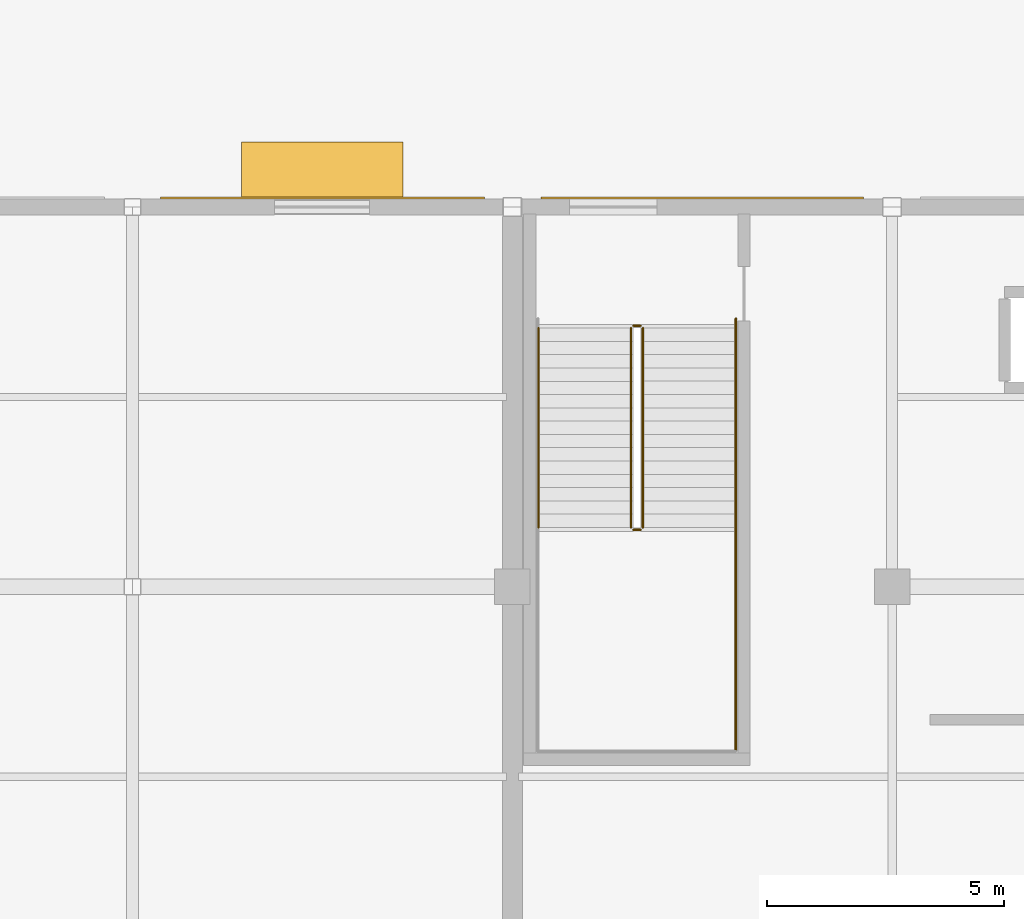
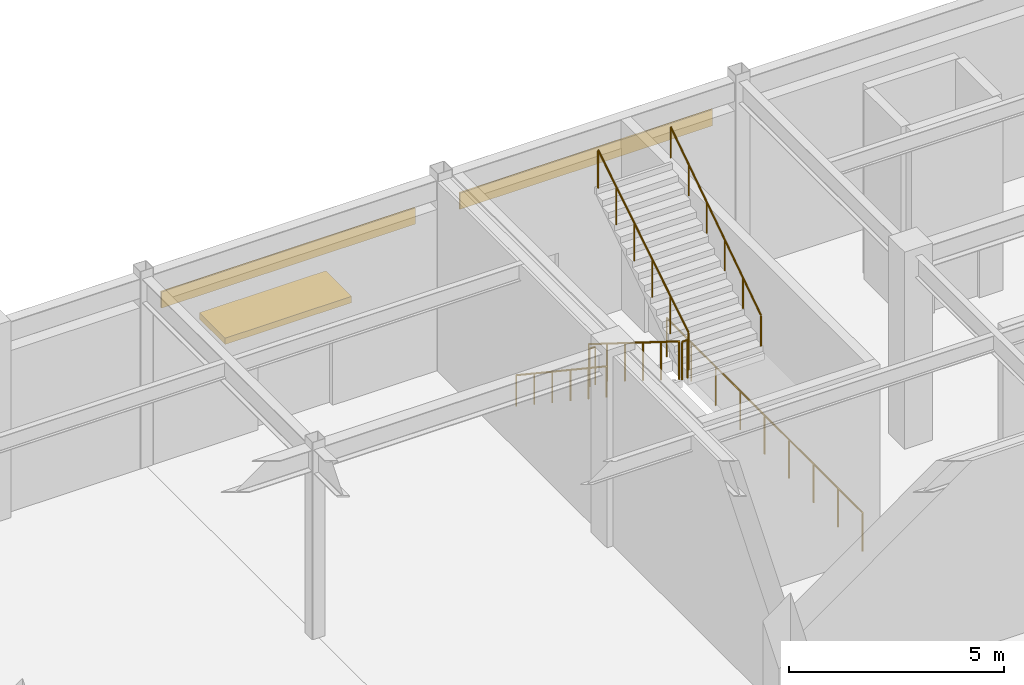
# One storey, part 123 of 128: 7 railings, 2 coverings, 1 shading device.
"""IFC4 building model written with IfcOpenShell, lengths in metres."""

from ifc_helpers import new_model, si_unit, direction, frame, origin, origin_2d, place, context, subcontext, project, spatial, rectangle, circle, extrude, material, layer, layer_set, type_object, element, save


model = new_model("IFC4")

# Units and contexts
model_context = context("Model", 3, precision=1e-05, world=origin(), true_north=direction((0.0, 1.0)))
body_context = subcontext(model_context, "Body", "Model", "MODEL_VIEW")
ifc_project = project(units=[si_unit("LENGTHUNIT", "METRE"), si_unit("AREAUNIT", "SQUARE_METRE"), si_unit("VOLUMEUNIT", "CUBIC_METRE"), si_unit("PLANEANGLEUNIT", "RADIAN"), si_unit("MASSUNIT", "GRAM", prefix="KILO")], contexts=[model_context])

# Site, building, storey
site_placement = place(None, origin())
site = spatial("IfcSite", under=ifc_project, at=site_placement, CompositionType="ELEMENT")
building_placement = place(site_placement, origin())
building = spatial("IfcBuilding", under=site, at=building_placement, Name="Solmirada Galleria", CompositionType="ELEMENT")
storey_placement = place(building_placement, origin())
storey = spatial("IfcBuildingStorey", under=building, at=storey_placement, Name="L00", CompositionType="ELEMENT", Elevation=0.0)

# Coverings
ifc_material_1 = material(Name="Limestone cladding panels", Category="masonry")
ifc_layer = layer(ifc_material_1, 0.044921875)
ifc_layer_set = layer_set([ifc_layer], Name="Limestone cladding panels")
covering_type = type_object("IfcCoveringType", Name="COV-CLAD-LIME", PredefinedType="CLADDING", material=ifc_layer_set)
covering_1_placement = place(storey_placement, frame((124.0, 120.1923828125, 4.090087890625), z_axis=(0.0, 0.0, 1.0), x_axis=(1.0, 0.0, 0.0)))
element("IfcCovering", 1, at=covering_1_placement, inside=storey, type_object=covering_type, Name="Postmodern facade cladding L00-017", PredefinedType="CLADDING", context=body_context, shape_type="SweptSolid", body=[
    extrude(rectangle(XDim=6.819091796875, YDim=0.044921875, at=origin_2d()), origin(), (0.0, 0.0, 1.0), 0.4599609375),
])
covering_2_placement = place(storey_placement, frame((132.0, 120.1923828125, 4.090087890625), z_axis=(0.0, 0.0, 1.0), x_axis=(1.0, 0.0, 0.0)))
element("IfcCovering", 2, at=covering_2_placement, inside=storey, type_object=covering_type, Name="Postmodern facade cladding L00-018", PredefinedType="CLADDING", context=body_context, shape_type="SweptSolid", body=[
    extrude(rectangle(XDim=6.7939453125, YDim=0.044921875, at=origin_2d()), origin(), (0.0, 0.0, 1.0), 0.4599609375),
])

# Railings
ifc_material_2 = material(Name="Painted steel tubular railing", Category="steel")
railing_type_1 = type_object("IfcRailingType", Name="RAIL-STAIR-GUARD", PredefinedType="GUARDRAIL", material=ifc_material_2)
railing_1_placement = place(storey_placement, frame((130.5, 117.449951171875, 0.175048828125)))
element("IfcRailing", 3, at=railing_1_placement, inside=storey, type_object=railing_type_1, Name="L00 ST3 stair guard 1", PredefinedType="GUARDRAIL", context=body_context, shape_type="SweptSolid", body=[
    extrude(circle(Radius=0.02392578125, at=origin_2d()), frame((0.0, 0.0, 1.076171875), z_axis=(0.0, -0.847995534698, 0.530003370869), x_axis=(1.0, 0.0, 0.0)), (0.0, 0.0, 1.0), 4.952880859375),
    extrude(circle(Radius=0.02099609375, at=origin_2d()), origin(), (0.0, 0.0, 1.0), 1.048095703125),
    extrude(circle(Radius=0.02099609375, at=origin_2d()), frame((0.0, -0.840087890625, 0.52490234375)), (0.0, 0.0, 1.0), 1.048095703125),
    extrude(circle(Radius=0.02099609375, at=origin_2d()), frame((0.0, -1.679931640625, 1.050048828125)), (0.0, 0.0, 1.0), 1.048095703125),
    extrude(circle(Radius=0.02099609375, at=origin_2d()), frame((0.0, -2.52001953125, 1.574951171875)), (0.0, 0.0, 1.0), 1.048095703125),
    extrude(circle(Radius=0.02099609375, at=origin_2d()), frame((0.0, -3.35986328125, 2.10009765625)), (0.0, 0.0, 1.0), 1.048095703125),
    extrude(circle(Radius=0.02099609375, at=origin_2d()), frame((0.0, -4.199951171875, 2.625)), (0.0, 0.0, 1.0), 1.048095703125),
])
railing_2_placement = place(storey_placement, frame((130.550048828125, 113.199951171875, 2.800048828125)))
element("IfcRailing", 4, at=railing_2_placement, inside=storey, type_object=railing_type_1, Name="L00 ST3 stair guard 2", PredefinedType="GUARDRAIL", context=body_context, shape_type="SweptSolid", body=[
    extrude(circle(Radius=0.02392578125, at=origin_2d()), frame((0.0, 0.0, 1.076171875), z_axis=(1.0, 0.0, 0.0), x_axis=(0.0, 1.0, 0.0)), (0.0, 0.0, 1.0), 0.14990234375),
    extrude(circle(Radius=0.02099609375, at=origin_2d()), origin(), (0.0, 0.0, 1.0), 1.048095703125),
    extrude(circle(Radius=0.02099609375, at=origin_2d()), frame((0.14990234375, 0.0, 0.0)), (0.0, 0.0, 1.0), 1.048095703125),
])
railing_3_placement = place(storey_placement, frame((130.75, 113.25, 2.97509765625)))
element("IfcRailing", 5, at=railing_3_placement, inside=storey, type_object=railing_type_1, Name="L00 ST3 stair guard 3", PredefinedType="GUARDRAIL", context=body_context, shape_type="SweptSolid", body=[
    extrude(circle(Radius=0.02392578125, at=origin_2d()), frame((0.0, 0.0, 1.076171875), z_axis=(0.0, 0.847995534698, 0.530003370869), x_axis=(-1.0, 0.0, 0.0)), (0.0, 0.0, 1.0), 4.952880859375),
    extrude(circle(Radius=0.02099609375, at=origin_2d()), origin(), (0.0, 0.0, 1.0), 1.048095703125),
    extrude(circle(Radius=0.02099609375, at=origin_2d()), frame((0.0, 0.840087890625, 0.52490234375)), (0.0, 0.0, 1.0), 1.048095703125),
    extrude(circle(Radius=0.02099609375, at=origin_2d()), frame((0.0, 1.679931640625, 1.050048828125)), (0.0, 0.0, 1.0), 1.048095703125),
    extrude(circle(Radius=0.02099609375, at=origin_2d()), frame((0.0, 2.52001953125, 1.574951171875)), (0.0, 0.0, 1.0), 1.048095703125),
    extrude(circle(Radius=0.02099609375, at=origin_2d()), frame((0.0, 3.35986328125, 2.10009765625)), (0.0, 0.0, 1.0), 1.048095703125),
    extrude(circle(Radius=0.02099609375, at=origin_2d()), frame((0.0, 4.199951171875, 2.625)), (0.0, 0.0, 1.0), 1.048095703125),
])
railing_4_placement = place(storey_placement, frame((130.550048828125, 117.5, 0.0)))
element("IfcRailing", 6, at=railing_4_placement, inside=storey, type_object=railing_type_1, Name="L00 ST3 stair guard 4", PredefinedType="GUARDRAIL", context=body_context, shape_type="SweptSolid", body=[
    extrude(circle(Radius=0.02392578125, at=origin_2d()), frame((0.0, 0.0, 1.076171875), z_axis=(1.0, 0.0, 0.0), x_axis=(0.0, 1.0, 0.0)), (0.0, 0.0, 1.0), 0.14990234375),
    extrude(circle(Radius=0.02099609375, at=origin_2d()), origin(), (0.0, 0.0, 1.0), 1.048095703125),
    extrude(circle(Radius=0.02099609375, at=origin_2d()), frame((0.14990234375, 0.0, 0.0)), (0.0, 0.0, 1.0), 1.048095703125),
])
railing_5_placement = place(storey_placement, frame((132.7099609375, 117.64990234375, 0.0)))
element("IfcRailing", 7, at=railing_5_placement, inside=storey, type_object=railing_type_1, Name="Stair ST3 well edge guard L00-1", PredefinedType="GUARDRAIL", context=body_context, shape_type="SweptSolid", body=[
    extrude(circle(Radius=0.02392578125, at=origin_2d()), frame((0.0, 0.0, 1.09619140625), z_axis=(0.0, -1.0, 0.0), x_axis=(1.0, 0.0, 0.0)), (0.0, 0.0, 1.0), 9.10986328125),
    extrude(circle(Radius=0.02099609375, at=origin_2d()), origin(), (0.0, 0.0, 1.0), 1.068115234375),
    extrude(circle(Radius=0.02099609375, at=origin_2d()), frame((0.0, -1.138671875, 0.0)), (0.0, 0.0, 1.0), 1.068115234375),
    extrude(circle(Radius=0.02099609375, at=origin_2d()), frame((0.0, -2.27734375, 0.0)), (0.0, 0.0, 1.0), 1.068115234375),
    extrude(circle(Radius=0.02099609375, at=origin_2d()), frame((0.0, -3.416259765625, 0.0)), (0.0, 0.0, 1.0), 1.068115234375),
    extrude(circle(Radius=0.02099609375, at=origin_2d()), frame((0.0, -4.554931640625, 0.0)), (0.0, 0.0, 1.0), 1.068115234375),
    extrude(circle(Radius=0.02099609375, at=origin_2d()), frame((0.0, -5.693603515625, 0.0)), (0.0, 0.0, 1.0), 1.068115234375),
    extrude(circle(Radius=0.02099609375, at=origin_2d()), frame((0.0, -6.83251953125, 0.0)), (0.0, 0.0, 1.0), 1.068115234375),
    extrude(circle(Radius=0.02099609375, at=origin_2d()), frame((0.0, -7.97119140625, 0.0)), (0.0, 0.0, 1.0), 1.068115234375),
    extrude(circle(Radius=0.02099609375, at=origin_2d()), frame((0.0, -9.10986328125, 0.0)), (0.0, 0.0, 1.0), 1.068115234375),
])
railing_type_2 = type_object("IfcRailingType", Name="RAIL-STAIR-HAND", PredefinedType="HANDRAIL", material=ifc_material_2)
railing_6_placement = place(storey_placement, frame((128.550048828125, 117.449951171875, 0.175048828125)))
element("IfcRailing", 8, at=railing_6_placement, inside=storey, type_object=railing_type_2, Name="L00 ST3 stair handrail 1", PredefinedType="HANDRAIL", context=body_context, shape_type="SweptSolid", body=[
    extrude(circle(Radius=0.02392578125, at=origin_2d()), frame((0.0, 0.0, 0.8759765625), z_axis=(0.0, -0.832042853317, 0.554711357594), x_axis=(1.0, 0.0, 0.0)), (0.0, 0.0, 1.0), 5.0478515625),
    extrude(circle(Radius=0.02099609375, at=origin_2d()), origin(), (0.0, 0.0, 1.0), 0.847900390625),
    extrude(circle(Radius=0.02099609375, at=origin_2d()), frame((0.0, -0.840087890625, 0.56005859375)), (0.0, 0.0, 1.0), 0.847900390625),
    extrude(circle(Radius=0.02099609375, at=origin_2d()), frame((0.0, -1.679931640625, 1.1201171875)), (0.0, 0.0, 1.0), 0.847900390625),
    extrude(circle(Radius=0.02099609375, at=origin_2d()), frame((0.0, -2.52001953125, 1.679931640625)), (0.0, 0.0, 1.0), 0.847900390625),
    extrude(circle(Radius=0.02099609375, at=origin_2d()), frame((0.0, -3.35986328125, 2.239990234375)), (0.0, 0.0, 1.0), 0.847900390625),
    extrude(circle(Radius=0.02099609375, at=origin_2d()), frame((0.0, -4.199951171875, 2.800048828125)), (0.0, 0.0, 1.0), 0.847900390625),
])
railing_7_placement = place(storey_placement, frame((132.699951171875, 113.25, 2.97509765625)))
element("IfcRailing", 9, at=railing_7_placement, inside=storey, type_object=railing_type_2, Name="L00 ST3 stair handrail 2", PredefinedType="HANDRAIL", context=body_context, shape_type="SweptSolid", body=[
    extrude(circle(Radius=0.02392578125, at=origin_2d()), frame((0.0, 0.0, 0.8759765625), z_axis=(0.0, 0.83206517633, 0.554677872589), x_axis=(-1.0, 0.0, 0.0)), (0.0, 0.0, 1.0), 5.047607421875),
    extrude(circle(Radius=0.02099609375, at=origin_2d()), origin(), (0.0, 0.0, 1.0), 0.847900390625),
    extrude(circle(Radius=0.02099609375, at=origin_2d()), frame((0.0, 0.840087890625, 0.56005859375)), (0.0, 0.0, 1.0), 0.847900390625),
    extrude(circle(Radius=0.02099609375, at=origin_2d()), frame((0.0, 1.679931640625, 1.119873046875)), (0.0, 0.0, 1.0), 0.847900390625),
    extrude(circle(Radius=0.02099609375, at=origin_2d()), frame((0.0, 2.52001953125, 1.679931640625)), (0.0, 0.0, 1.0), 0.847900390625),
    extrude(circle(Radius=0.02099609375, at=origin_2d()), frame((0.0, 3.35986328125, 2.23974609375)), (0.0, 0.0, 1.0), 0.847900390625),
    extrude(circle(Radius=0.02099609375, at=origin_2d()), frame((0.0, 4.199951171875, 2.7998046875)), (0.0, 0.0, 1.0), 0.847900390625),
])

# Shading device
ifc_material_3 = material(Name="Extruded aluminium storm louvres", Category="aluminium")
shading_device_type = type_object("IfcShadingDeviceType", Name="SHD-AWNING", PredefinedType="AWNING", material=ifc_material_3)
shading_device_placement = place(storey_placement, frame((124.0, 120.77001953125, 2.4599609375), z_axis=(0.0, 0.0, 1.0), x_axis=(1.0, 0.0, 0.0)))
element("IfcShadingDevice", 10, at=shading_device_placement, inside=storey, type_object=shading_device_type, Name="Storm entrance awning canopy 009", PredefinedType="AWNING", context=body_context, shape_type="SweptSolid", body=[
    extrude(rectangle(XDim=3.39990234375, YDim=1.199951171875, at=origin_2d()), origin(), (0.0, 0.0, 1.0), 0.179931640625),
])

save(model, "model.ifc")
